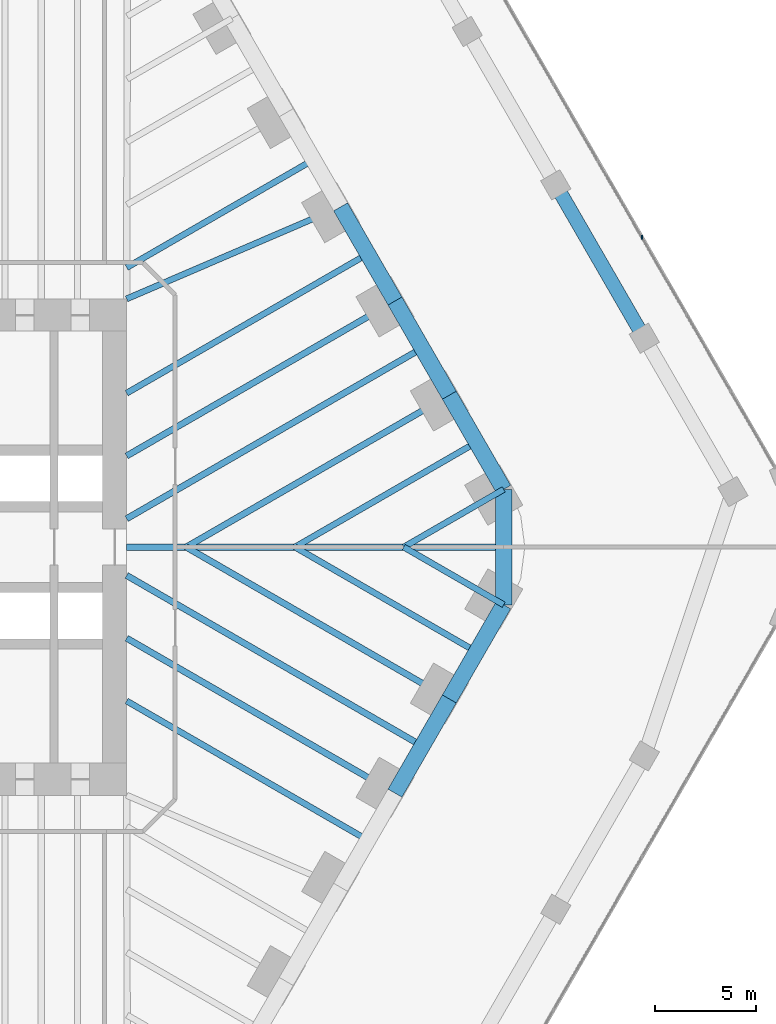
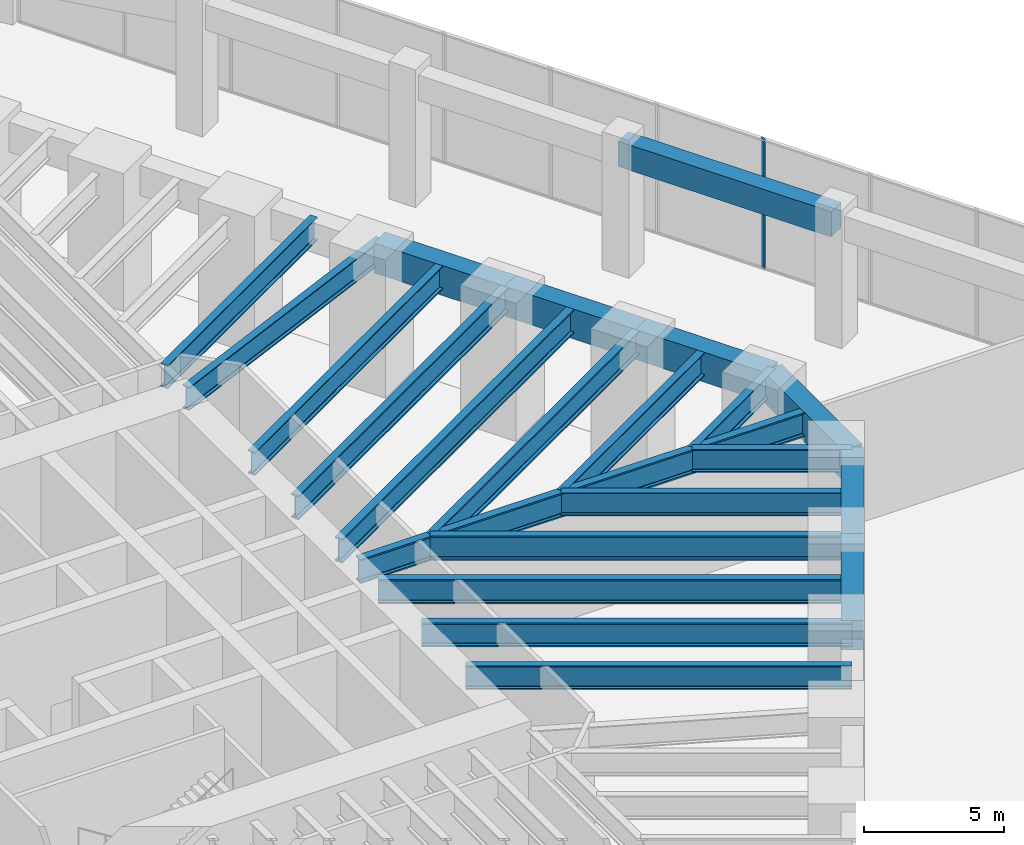
# One storey, part 13 of 31: 22 beams, 1 member, 1 element without a shape of its own.
"""IFC4 building model written with IfcOpenShell, lengths in metres."""

import ifcopenshell
import ifcopenshell.guid

model = None  # the IFC model being written
_history = None  # IfcOwnerHistory: only IFC2X3 demands one
_inside = {}  # id of a spatial element -> (the spatial element, [elements in it])
_under = {}  # id of a project, library or spatial element -> (it, [spatial elements below it])
_declared = {}  # id of a project -> (the project, [libraries it declares])
_typed = {}  # id of a type object -> (the type object, [elements of that type])
_made_of = {}  # id of a material, layer set ... -> (it, [elements and type objects made of it])


def new_model(schema):
    """Start an empty IFC model of exactly this schema.

    Asked for "IFC4X3", IfcOpenShell would pick the latest addendum, in which some entities
    have other attributes; the version numbers below select the first issue.
    IFC2X3 requires an IfcOwnerHistory on every rooted entity: one is made here for all.
    """
    global model, _history
    if schema == "IFC4X3":
        model = ifcopenshell.file(schema_version=(4, 3, 0, 0))
    else:
        model = ifcopenshell.file(schema=schema)
    _inside.clear()
    _under.clear()
    _declared.clear()
    _typed.clear()
    _made_of.clear()
    _history = None
    if model.schema == "IFC2X3":
        org = make("IfcOrganization", Name="unknown")
        user = make(
            "IfcPersonAndOrganization",
            ThePerson=make("IfcPerson", FamilyName="unknown"),
            TheOrganization=org,
        )
        app = make(
            "IfcApplication",
            ApplicationDeveloper=org,
            Version="unknown",
            ApplicationFullName="unknown",
            ApplicationIdentifier="unknown",
        )
        _history = make(
            "IfcOwnerHistory",
            OwningUser=user,
            OwningApplication=app,
            ChangeAction="ADDED",
            CreationDate=0,
        )
    return model


def make(cls, **values):
    """One entity of the class cls with the attributes given. An attribute that is None is left unset."""
    return model.create_entity(
        cls, **{name: value for name, value in values.items() if value is not None}
    )


def rooted(cls, **values):
    """An entity with a GlobalId (a new one), such as an element, a storey or a relation."""
    return make(cls, GlobalId=ifcopenshell.guid.new(), OwnerHistory=_history, **values)


def si_unit(unit_type, name, prefix=None):
    """IfcSIUnit, for example si_unit("LENGTHUNIT", "METRE", prefix="MILLI")."""
    return make("IfcSIUnit", UnitType=unit_type, Prefix=prefix, Name=name)


def assignment(units):
    """IfcUnitAssignment: the units of a project."""
    return None if units is None else make("IfcUnitAssignment", Units=units)


def point(xyz):
    """IfcCartesianPoint."""
    return None if xyz is None else make("IfcCartesianPoint", Coordinates=xyz)


def direction(xyz):
    """IfcDirection."""
    return None if xyz is None else make("IfcDirection", DirectionRatios=xyz)


def frame(location, z_axis=None, x_axis=None):
    """IfcAxis2Placement3D, a coordinate frame: its origin and axes. An axis left out is left unset."""
    return make(
        "IfcAxis2Placement3D",
        Location=point(location),
        Axis=direction(z_axis),
        RefDirection=direction(x_axis),
    )


def frame_2d(location, x_axis=None):
    """IfcAxis2Placement2D, a coordinate frame in the plane: its origin and x axis."""
    return make(
        "IfcAxis2Placement2D", Location=point(location), RefDirection=direction(x_axis)
    )


def origin():
    """The frame at (0, 0, 0) with its axes left unset."""
    return frame((0.0, 0.0, 0.0))


def origin_2d():
    """The frame at (0, 0) in the plane with its x axis left unset."""
    return frame_2d((0.0, 0.0))


def place(relative_to, where):
    """IfcLocalPlacement: puts the frame where relative to a parent placement (None: the world)."""
    return make(
        "IfcLocalPlacement", PlacementRelTo=relative_to, RelativePlacement=where
    )


def context(
    kind, dimensions, precision=None, world=None, true_north=None, identifier=None
):
    """IfcGeometricRepresentationContext, for example the 3D "Model" context."""
    return make(
        "IfcGeometricRepresentationContext",
        ContextIdentifier=identifier,
        ContextType=kind,
        CoordinateSpaceDimension=dimensions,
        Precision=precision,
        WorldCoordinateSystem=world,
        TrueNorth=true_north,
    )


def subcontext(parent, identifier, kind, view, scale=None):
    """IfcGeometricRepresentationSubContext, for example "Body" below "Model"."""
    return make(
        "IfcGeometricRepresentationSubContext",
        ContextIdentifier=identifier,
        ContextType=kind,
        ParentContext=parent,
        TargetScale=scale,
        TargetView=view,
    )


def project(units=None, contexts=None):
    """IfcProject with its units and contexts."""
    return rooted(
        "IfcProject",
        Name="project",
        RepresentationContexts=contexts,
        UnitsInContext=assignment(units),
    )


def spatial(cls, under=None, at=None, **own):
    """A site, building, storey or space (cls), placed at a placement, below another one or the project."""
    s = rooted(cls, ObjectPlacement=at, **own)
    if under is not None:
        _under.setdefault(under.id(), (under, []))[1].append(s)
    return s


def profile(cls, at=None, kind="AREA", **sizes):
    """A parametric profile (cls). Its sizes go by their IFC names, for example OverallWidth=200.0."""
    return make(cls, ProfileType=kind, Position=at, **sizes)


def rectangle(**sizes):
    """IfcRectangleProfileDef."""
    return profile("IfcRectangleProfileDef", **sizes)


def i_section(**sizes):
    """IfcIShapeProfileDef."""
    return profile("IfcIShapeProfileDef", **sizes)


def extrude(swept, where, along, depth):
    """IfcExtrudedAreaSolid: the profile swept, set in the frame where, extruded along a direction by depth."""
    return make(
        "IfcExtrudedAreaSolid",
        SweptArea=swept,
        Position=where,
        ExtrudedDirection=direction(along),
        Depth=depth,
    )


def shape(context_of_items, identifier, shape_type, items):
    """IfcShapeRepresentation: the items that make up one representation, for example the "Body"."""
    return make(
        "IfcShapeRepresentation",
        ContextOfItems=context_of_items,
        RepresentationIdentifier=identifier,
        RepresentationType=shape_type,
        Items=items,
    )


def material(Name=None, Category=None):
    """IfcMaterial."""
    return make("IfcMaterial", Name=Name, Category=Category)


def material_profile(
    of_material, cross_section, Name=None, Category=None, Priority=None
):
    """IfcMaterialProfile: a cross section and its material."""
    return make(
        "IfcMaterialProfile",
        Name=Name,
        Material=of_material,
        Profile=cross_section,
        Priority=Priority,
        Category=Category,
    )


def profile_set(profiles, Name=None, composite=None):
    """IfcMaterialProfileSet."""
    return make(
        "IfcMaterialProfileSet",
        Name=Name,
        MaterialProfiles=profiles,
        CompositeProfile=composite,
    )


def made_of(thing, what):
    """Note that an element or type object is made of a material, layer set ...; save() writes the relation."""
    if what is not None:
        _made_of.setdefault(what.id(), (what, []))[1].append(thing)
    return thing


def type_object(cls, material=None, **own):
    """A type object (cls), such as IfcWallType, which elements share."""
    return made_of(rooted(cls, **own), material)


def element(
    cls,
    number,
    at=None,
    inside=None,
    cuts=None,
    type_object=None,
    material=None,
    context=None,
    identifier="Body",
    shape_type=None,
    held_by="IfcProductDefinitionShape",
    body=None,
    shapes=None,
    **own,
):
    """One element of the class cls, such as IfcWall. Its Tag is "e" and its number.

    at: its placement. inside: the storey or other place that contains it. cuts: it is an
    opening in that element (IfcRelVoidsElement). A single representation is given by context,
    identifier, shape_type and body (its items); several are given by shapes. held_by: the class
    of the entity that holds the representations. save() writes the other relations.
    """
    e = rooted(cls, Tag="e%d" % number, ObjectPlacement=at, **own)
    if body is not None:
        shapes = [shape(context, identifier, shape_type, body)]
    if shapes is not None:
        e.Representation = make(held_by, Representations=shapes)
    if inside is not None:
        _inside.setdefault(inside.id(), (inside, []))[1].append(e)
    if cuts is not None:
        rooted(
            "IfcRelVoidsElement", RelatingBuildingElement=cuts, RelatedOpeningElement=e
        )
    if type_object is not None:
        _typed.setdefault(type_object.id(), (type_object, []))[1].append(e)
    return made_of(e, material)


def aggregate(whole, parts):
    """IfcRelAggregates: a whole, such as a stair, and the parts it consists of."""
    return rooted("IfcRelAggregates", RelatingObject=whole, RelatedObjects=parts)


def save(model, path):
    """Write the relations noted so far, then the file.

    IfcRelAggregates (storeys below a building ...), IfcRelContainedInSpatialStructure (elements
    in a storey), IfcRelDefinesByType, IfcRelAssociatesMaterial and IfcRelDeclares: one each for
    every whole, place, type object, material and project.
    """
    for whole, parts in _under.values():
        aggregate(whole, parts)
    for where, things in _inside.values():
        rooted(
            "IfcRelContainedInSpatialStructure",
            RelatedElements=things,
            RelatingStructure=where,
        )
    for kind, things in _typed.values():
        rooted("IfcRelDefinesByType", RelatedObjects=things, RelatingType=kind)
    for what, things in _made_of.values():
        rooted("IfcRelAssociatesMaterial", RelatedObjects=things, RelatingMaterial=what)
    for by, libraries in _declared.values():
        rooted("IfcRelDeclares", RelatingContext=by, RelatedDefinitions=libraries)
    model.write(path)


model = new_model("IFC4")

# Units and contexts
model_context = context("Model", 3, precision=1e-05, world=origin(), true_north=direction((0.0, 1.0)))
body_context = subcontext(model_context, "Body", "Model", "MODEL_VIEW")
ifc_project = project(units=[si_unit("LENGTHUNIT", "METRE"), si_unit("AREAUNIT", "SQUARE_METRE"), si_unit("VOLUMEUNIT", "CUBIC_METRE"), si_unit("PLANEANGLEUNIT", "RADIAN"), si_unit("MASSUNIT", "GRAM", prefix="KILO")], contexts=[model_context])

# Site, building, storey
site_placement = place(None, origin())
site = spatial("IfcSite", under=ifc_project, at=site_placement, CompositionType="ELEMENT")
building_placement = place(site_placement, origin())
building = spatial("IfcBuilding", under=site, at=building_placement, Name="Tarfa Lantern Tower", CompositionType="ELEMENT")
storey_placement = place(building_placement, frame((0.0, 0.0, 7.0)))
storey = spatial("IfcBuildingStorey", under=building, at=storey_placement, Name="L01", CompositionType="ELEMENT", Elevation=7.0)

# Curtain wall, member
ifc_material_1 = material(Name="Aluminium framed curtain wall", Category="aluminium")
curtain_wall_type = type_object("IfcCurtainWallType", Name="CW7 PODIUM GLAZING 5650", PredefinedType="USERDEFINED", material=ifc_material_1)
curtain_wall_placement = place(storey_placement, origin())
curtain_wall = element("IfcCurtainWall", 1, at=curtain_wall_placement, inside=storey, type_object=curtain_wall_type, Name="CW7 NE L01", ObjectType="CURTAIN WALL", PredefinedType="USERDEFINED")
ifc_material_2 = material(Name="Aluminium mullion", Category="aluminium")
ifc_material_profile_1 = material_profile(ifc_material_2, rectangle(XDim=0.06494140625, YDim=0.199951171875, at=origin_2d()), Name="AL MULLION 65x200")
ifc_profile_set_1 = profile_set([ifc_material_profile_1], Name="Aluminium mullion")
member_type = type_object("IfcMemberType", Name="CWM1 MULLION 65x200", PredefinedType="MULLION", material=ifc_profile_set_1)
member_placement = place(storey_placement, frame((44.138427734375, 15.35009765625, 0.0), z_axis=(0.0, 0.0, 1.0), x_axis=(1.0, 0.0, 0.0)))
member = element("IfcMember", 2, at=member_placement, type_object=member_type, Name="CW7 mullion 4", PredefinedType="MULLION", context=body_context, shape_type="SweptSolid", body=[
    extrude(rectangle(XDim=0.06494140625, YDim=0.199951171875, at=origin_2d()), origin(), (0.0, 0.0, 1.0), 5.64990234375),
])
aggregate(curtain_wall, [member])

# Beams
ifc_material_3 = material(Name="Concrete C80/95", Category="concrete")
ifc_material_profile_2 = material_profile(ifc_material_3, rectangle(XDim=0.800048828125, YDim=1.300048828125, at=origin_2d()), Name="RC 800x1300")
ifc_profile_set_2 = profile_set([ifc_material_profile_2], Name="Concrete C80/95")
beam_type_1 = type_object("IfcBeamType", Name="EB1 RC 800x1300", PredefinedType="SPANDREL", material=ifc_profile_set_2)
beam_1_placement = place(storey_placement, frame((37.285400390625, 2.860107421875, 5.0), z_axis=(-0.500017906299, 0.866015065331, 0.0), x_axis=(-0.866015065331, -0.500017906299, 0.0)))
element("IfcBeam", 3, at=beam_1_placement, inside=storey, type_object=beam_type_1, Name="Edge beam NE0", PredefinedType="SPANDREL", context=body_context, shape_type="SweptSolid", body=[
    extrude(rectangle(XDim=0.800048828125, YDim=1.300048828125, at=origin_2d()), origin(), (0.0, 0.0, 1.0), 5.388427734375),
])
for number, where, z_axis, x_axis, name in (
    (4, (34.591064453125, 7.526611328125, 5.0), (-0.499998287579, 0.866026392449, 0.0), (-0.866026392449, -0.499998287579, 0.0), "Edge beam NE1"),
    (5, (31.896728515625, 12.193359375, 5.0), (-0.499998287579, 0.866026392449, 0.0), (-0.866026392449, -0.499998287579, 0.0), "Edge beam NE2"),
    (6, (31.896728515625, -12.193359375, 5.0), (0.499998287579, 0.866026392449, 0.0), (-0.866026392449, 0.499998287579, 0.0), "Edge beam SE4"),
):
    element("IfcBeam", number, at=place(storey_placement, frame(where, z_axis=z_axis, x_axis=x_axis)), inside=storey, type_object=beam_type_1, Name=name, PredefinedType="SPANDREL", context=body_context, shape_type="SweptSolid", body=[
        extrude(rectangle(XDim=0.800048828125, YDim=1.300048828125, at=origin_2d()), origin(), (0.0, 0.0, 1.0), 5.388671875),
    ])
beam_2_placement = place(storey_placement, frame((34.591064453125, -7.526611328125, 5.0), z_axis=(0.500017906299, 0.866015065331, 0.0), x_axis=(-0.866015065331, 0.500017906299, 0.0)))
element("IfcBeam", 7, at=beam_2_placement, inside=storey, type_object=beam_type_1, Name="Edge beam SE5", PredefinedType="SPANDREL", context=body_context, shape_type="SweptSolid", body=[
    extrude(rectangle(XDim=0.800048828125, YDim=1.300048828125, at=origin_2d()), origin(), (0.0, 0.0, 1.0), 5.388427734375),
])
beam_3_placement = place(storey_placement, frame((37.285400390625, -2.860107421875, 5.0), z_axis=(0.0, 1.0, 0.0), x_axis=(-1.0, 0.0, 0.0)))
element("IfcBeam", 8, at=beam_3_placement, inside=storey, type_object=beam_type_1, Name="Edge beam SE6", PredefinedType="SPANDREL", context=body_context, shape_type="SweptSolid", body=[
    extrude(rectangle(XDim=0.800048828125, YDim=1.300048828125, at=origin_2d()), origin(), (0.0, 0.0, 1.0), 5.72021484375),
])
ifc_material_profile_3 = material_profile(ifc_material_3, rectangle(XDim=0.699951171875, YDim=1.10009765625, at=origin_2d()), Name="RC 700x1100")
ifc_profile_set_3 = profile_set([ifc_material_profile_3], Name="Concrete C80/95")
beam_type_2 = type_object("IfcBeamType", Name="PB1 RC 700x1100", PredefinedType="BEAM", material=ifc_profile_set_3)
beam_4_placement = place(storey_placement, frame((44.25390625, 10.35009765625, 5.10009765625), z_axis=(-0.500013843384, 0.866017411155, 0.0), x_axis=(-0.866017411155, -0.500013843384, 0.0)))
element("IfcBeam", 9, at=beam_4_placement, inside=storey, type_object=beam_type_2, Name="Podium ring beam NE1", PredefinedType="BEAM", context=body_context, shape_type="SweptSolid", body=[
    extrude(rectangle(XDim=0.699951171875, YDim=1.10009765625, at=origin_2d()), origin(), (0.0, 0.0, 1.0), 8.775634765625),
])
ifc_material_4 = material(Name="Steel S460M", Category="steel")
ifc_material_profile_4 = material_profile(ifc_material_4, i_section(OverallWidth=0.302001953125, OverallDepth=1.008056640625, WebThickness=0.02099609375, FlangeThickness=0.0400390625, FilletRadius=0.030029296875, at=origin_2d()), Name="UB1016x305x349")
ifc_profile_set_4 = profile_set([ifc_material_profile_4], Name="Steel S460M")
beam_type_3 = type_object("IfcBeamType", Name="UB1016x305x349", PredefinedType="BEAM", material=ifc_profile_set_4)
beam_5_placement = place(storey_placement, frame((37.285400390625, 2.860107421875, 5.14599609375), z_axis=(-0.866025668288, -0.499999541866, 0.0), x_axis=(0.499999541866, -0.866025668288, 0.0)))
element("IfcBeam", 10, at=beam_5_placement, inside=storey, type_object=beam_type_3, Name="Floor beam NE0", PredefinedType="BEAM", context=body_context, shape_type="SweptSolid", body=[
    extrude(i_section(OverallWidth=0.302001953125, OverallDepth=1.008056640625, WebThickness=0.02099609375, FlangeThickness=0.0400390625, FilletRadius=0.030029296875, at=origin_2d()), origin(), (0.0, 0.0, 1.0), 5.72021484375),
])
beam_6_placement = place(storey_placement, frame((29.202392578125, 16.860107421875, 5.14599609375), z_axis=(-0.918635483867, -0.395106122175, 0.0), x_axis=(0.395106122175, -0.918635483867, 0.0)))
element("IfcBeam", 11, at=beam_6_placement, inside=storey, type_object=beam_type_3, Name="Floor beam NE3", PredefinedType="BEAM", context=body_context, shape_type="SweptSolid", body=[
    extrude(i_section(OverallWidth=0.302001953125, OverallDepth=1.008056640625, WebThickness=0.02099609375, FlangeThickness=0.0400390625, FilletRadius=0.030029296875, at=origin_2d()), origin(), (0.0, 0.0, 1.0), 11.541259765625),
])
beam_7_placement = place(storey_placement, frame((37.285400390625, -2.860107421875, 5.14599609375), z_axis=(-0.866025668288, 0.499999541866, 0.0), x_axis=(-0.499999541866, -0.866025668288, 0.0)))
element("IfcBeam", 12, at=beam_7_placement, inside=storey, type_object=beam_type_3, Name="Floor beam SE6", PredefinedType="BEAM", context=body_context, shape_type="SweptSolid", body=[
    extrude(i_section(OverallWidth=0.302001953125, OverallDepth=1.008056640625, WebThickness=0.02099609375, FlangeThickness=0.0400390625, FilletRadius=0.030029296875, at=origin_2d()), origin(), (0.0, 0.0, 1.0), 5.72021484375),
])
beam_8_placement = place(storey_placement, frame((35.938232421875, 5.193359375, 5.14599609375), z_axis=(-0.866024317969, -0.500001880682, 0.0), x_axis=(0.500001880682, -0.866024317969, 0.0)))
element("IfcBeam", 13, at=beam_8_placement, inside=storey, type_object=beam_type_3, Name="Floor beam NE0M", PredefinedType="BEAM", context=body_context, shape_type="SweptSolid", body=[
    extrude(i_section(OverallWidth=0.302001953125, OverallDepth=1.008056640625, WebThickness=0.02099609375, FlangeThickness=0.0400390625, FilletRadius=0.030029296875, at=origin_2d()), origin(), (0.0, 0.0, 1.0), 10.38671875),
])
beam_9_placement = place(storey_placement, frame((30.549560546875, 14.526611328125, 5.14599609375), z_axis=(-0.866028536827, -0.499994573371, 0.0), x_axis=(0.499994573371, -0.866028536827, 0.0)))
element("IfcBeam", 14, at=beam_9_placement, inside=storey, type_object=beam_type_3, Name="Floor beam NE2M", PredefinedType="BEAM", context=body_context, shape_type="SweptSolid", body=[
    extrude(i_section(OverallWidth=0.302001953125, OverallDepth=1.008056640625, WebThickness=0.02099609375, FlangeThickness=0.0400390625, FilletRadius=0.030029296875, at=origin_2d()), origin(), (0.0, 0.0, 1.0), 13.798095703125),
])
beam_10_placement = place(storey_placement, frame((27.855224609375, 19.193359375, 5.14599609375), z_axis=(-0.866028034017, -0.499995444275, 0.0), x_axis=(0.499995444275, -0.866028034017, 0.0)))
element("IfcBeam", 15, at=beam_10_placement, inside=storey, type_object=beam_type_3, Name="Floor beam NE3M", PredefinedType="BEAM", context=body_context, shape_type="SweptSolid", body=[
    extrude(i_section(OverallWidth=0.302001953125, OverallDepth=1.008056640625, WebThickness=0.02099609375, FlangeThickness=0.0400390625, FilletRadius=0.030029296875, at=origin_2d()), origin(), (0.0, 0.0, 1.0), 10.68310546875),
])
beam_11_placement = place(storey_placement, frame((30.549560546875, -14.526611328125, 5.14599609375), z_axis=(-0.866028536827, 0.499994573371, 0.0), x_axis=(-0.499994573371, -0.866028536827, 0.0)))
element("IfcBeam", 16, at=beam_11_placement, inside=storey, type_object=beam_type_3, Name="Floor beam SE3M", PredefinedType="BEAM", context=body_context, shape_type="SweptSolid", body=[
    extrude(i_section(OverallWidth=0.302001953125, OverallDepth=1.008056640625, WebThickness=0.02099609375, FlangeThickness=0.0400390625, FilletRadius=0.030029296875, at=origin_2d()), origin(), (0.0, 0.0, 1.0), 13.798095703125),
])
beam_12_placement = place(storey_placement, frame((35.938232421875, -5.193359375, 5.14599609375), z_axis=(-0.866024317969, 0.500001880682, 0.0), x_axis=(-0.500001880682, -0.866024317969, 0.0)))
element("IfcBeam", 17, at=beam_12_placement, inside=storey, type_object=beam_type_3, Name="Floor beam SE5M", PredefinedType="BEAM", context=body_context, shape_type="SweptSolid", body=[
    extrude(i_section(OverallWidth=0.302001953125, OverallDepth=1.008056640625, WebThickness=0.02099609375, FlangeThickness=0.0400390625, FilletRadius=0.030029296875, at=origin_2d()), origin(), (0.0, 0.0, 1.0), 10.38671875),
])
ifc_material_profile_5 = material_profile(ifc_material_4, i_section(OverallWidth=0.314208984375, OverallDepth=1.055908203125, WebThickness=0.035888671875, FlangeThickness=0.06396484375, FilletRadius=0.030029296875, at=origin_2d()), Name="UB1016x305x584")
ifc_profile_set_5 = profile_set([ifc_material_profile_5], Name="Steel S460M")
beam_type_4 = type_object("IfcBeamType", Name="UB1016x305x584", PredefinedType="BEAM", material=ifc_profile_set_5)
beam_13_placement = place(storey_placement, frame((18.60009765625, 0.0, 5.1220703125), z_axis=(1.0, 0.0, 0.0), x_axis=(0.0, 1.0, 0.0)))
element("IfcBeam", 18, at=beam_13_placement, inside=storey, type_object=beam_type_4, Name="Hip girder E", PredefinedType="BEAM", context=body_context, shape_type="SweptSolid", body=[
    extrude(i_section(OverallWidth=0.314208984375, OverallDepth=1.055908203125, WebThickness=0.035888671875, FlangeThickness=0.06396484375, FilletRadius=0.030029296875, at=origin_2d()), origin(), (0.0, 0.0, 1.0), 18.685302734375),
])
beam_14_placement = place(storey_placement, frame((34.591064453125, 7.526611328125, 5.1220703125), z_axis=(-0.86602785945, -0.499995746638, 0.0), x_axis=(0.499995746638, -0.86602785945, 0.0)))
element("IfcBeam", 19, at=beam_14_placement, inside=storey, type_object=beam_type_4, Name="Floor beam NE1", PredefinedType="BEAM", context=body_context, shape_type="SweptSolid", body=[
    extrude(i_section(OverallWidth=0.314208984375, OverallDepth=1.055908203125, WebThickness=0.035888671875, FlangeThickness=0.06396484375, FilletRadius=0.030029296875, at=origin_2d()), origin(), (0.0, 0.0, 1.0), 15.053466796875),
])
for number, where, z_axis, x_axis, name in (
    (20, (31.896728515625, 12.193359375, 5.1220703125), (-0.866026971665, -0.499997284341, 0.0), (0.499997284341, -0.866026971665, 0.0), "Floor beam NE2"),
    (21, (31.896728515625, -12.193359375, 5.1220703125), (-0.866026971665, 0.499997284341, 0.0), (-0.499997284341, -0.866026971665, 0.0), "Floor beam SE4"),
):
    element("IfcBeam", number, at=place(storey_placement, frame(where, z_axis=z_axis, x_axis=x_axis)), inside=storey, type_object=beam_type_4, Name=name, PredefinedType="BEAM", context=body_context, shape_type="SweptSolid", body=[
        extrude(i_section(OverallWidth=0.314208984375, OverallDepth=1.055908203125, WebThickness=0.035888671875, FlangeThickness=0.06396484375, FilletRadius=0.030029296875, at=origin_2d()), origin(), (0.0, 0.0, 1.0), 15.353515625),
    ])
beam_15_placement = place(storey_placement, frame((34.591064453125, -7.526611328125, 5.1220703125), z_axis=(-0.86602785945, 0.499995746638, 0.0), x_axis=(-0.499995746638, -0.86602785945, 0.0)))
element("IfcBeam", 22, at=beam_15_placement, inside=storey, type_object=beam_type_4, Name="Floor beam SE5", PredefinedType="BEAM", context=body_context, shape_type="SweptSolid", body=[
    extrude(i_section(OverallWidth=0.314208984375, OverallDepth=1.055908203125, WebThickness=0.035888671875, FlangeThickness=0.06396484375, FilletRadius=0.030029296875, at=origin_2d()), origin(), (0.0, 0.0, 1.0), 15.053466796875),
])
for number, where, z_axis, x_axis, name in (
    (23, (33.243896484375, 9.860107421875, 5.1220703125), (-0.866019442478, -0.500010325144, 0.0), (0.500010325144, -0.866019442478, 0.0), "Floor beam NE1M"),
    (24, (33.243896484375, -9.860107421875, 5.1220703125), (-0.866019442478, 0.500010325144, 0.0), (-0.500010325144, -0.866019442478, 0.0), "Floor beam SE4M"),
):
    element("IfcBeam", number, at=place(storey_placement, frame(where, z_axis=z_axis, x_axis=x_axis)), inside=storey, type_object=beam_type_4, Name=name, PredefinedType="BEAM", context=body_context, shape_type="SweptSolid", body=[
        extrude(i_section(OverallWidth=0.314208984375, OverallDepth=1.055908203125, WebThickness=0.035888671875, FlangeThickness=0.06396484375, FilletRadius=0.030029296875, at=origin_2d()), origin(), (0.0, 0.0, 1.0), 16.909423828125),
    ])

save(model, "model.ifc")
